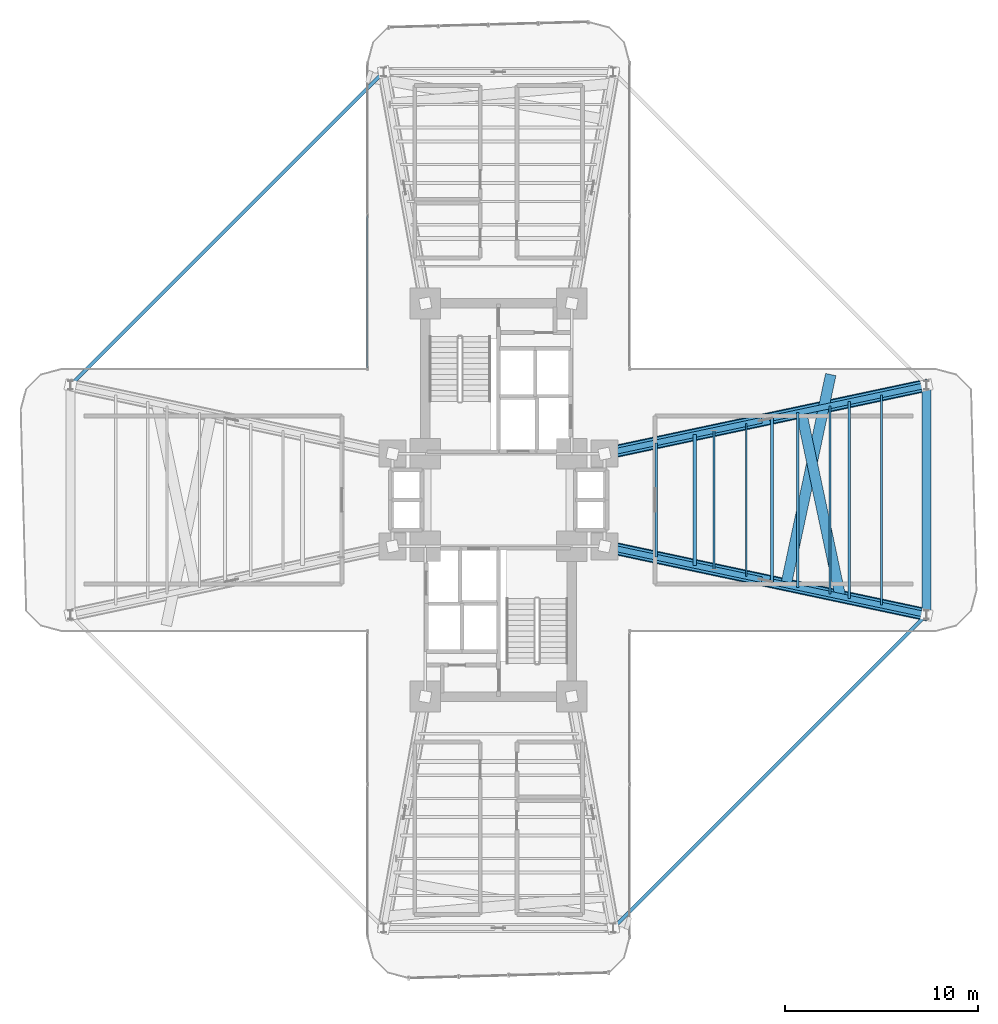
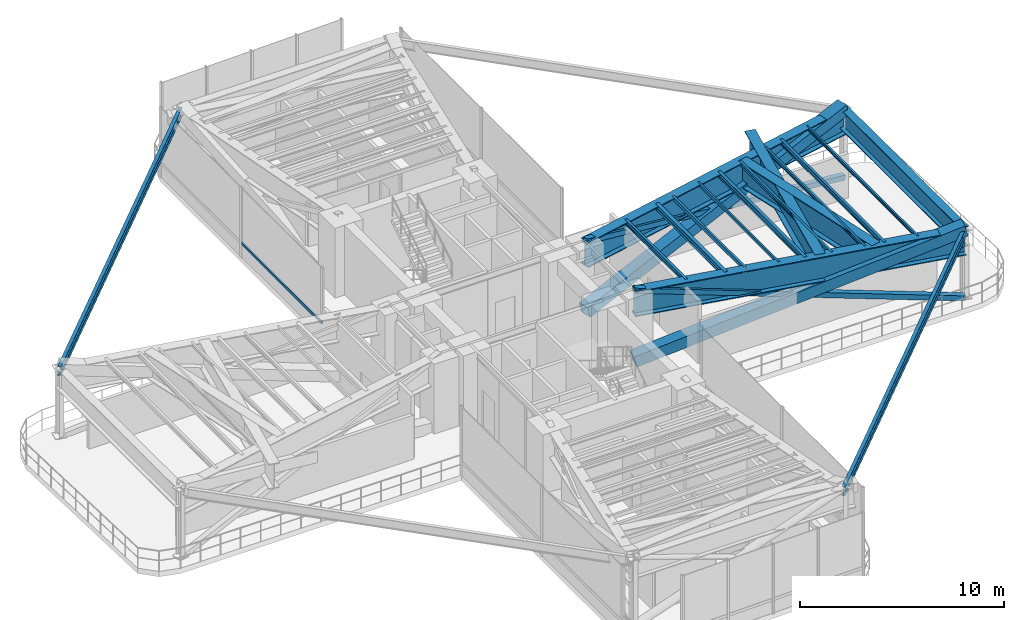
# One storey, part 7 of 18: 16 beams, 7 members, 1 element without a shape of its own.
"""IFC4 building model written with IfcOpenShell, lengths in metres."""

from ifc_helpers import new_model, si_unit, direction, frame, origin, origin_2d, place, context, subcontext, project, spatial, hollow_rectangle, i_section, extrude, source, transform, mapped, material, material_profile, profile_set, type_object, element, aggregate, save


model = new_model("IFC4")

# Units and contexts
model_context = context("Model", 3, precision=1e-05, world=origin(), true_north=direction((0.0, 1.0)))
body_context = subcontext(model_context, "Body", "Model", "MODEL_VIEW")
ifc_project = project(units=[si_unit("LENGTHUNIT", "METRE"), si_unit("AREAUNIT", "SQUARE_METRE"), si_unit("VOLUMEUNIT", "CUBIC_METRE"), si_unit("PLANEANGLEUNIT", "RADIAN"), si_unit("MASSUNIT", "GRAM", prefix="KILO")], contexts=[model_context])

# Site, building, storey
site_placement = place(None, origin())
site = spatial("IfcSite", under=ifc_project, at=site_placement, CompositionType="ELEMENT")
building_placement = place(site_placement, origin())
building = spatial("IfcBuilding", under=site, at=building_placement, Name="Sahyath Konkavel Grand Hotel", CompositionType="ELEMENT")
storey_placement = place(building_placement, frame((0.0, 0.0, 74.5)))
storey = spatial("IfcBuildingStorey", under=building, at=storey_placement, Name="L20", CompositionType="ELEMENT", Elevation=74.5)

# Beams
ifc_material_1 = material(Name="Steel E450", Category="steel")
ifc_material_profile_1 = material_profile(ifc_material_1, i_section(OverallWidth=0.550048828125, OverallDepth=1.5, WebThickness=0.028076171875, FlangeThickness=0.050048828125, at=origin_2d()), Name="BPG 1500x550")
ifc_profile_set_1 = profile_set([ifc_material_profile_1], Name="Steel E450")
beam_type_1 = type_object("IfcBeamType", Name="BM-BPG1500", PredefinedType="BEAM", material=ifc_profile_set_1)
shared_shape_1 = source(origin(), body_context, "Body", "SweptSolid", [
    extrude(i_section(OverallWidth=0.550048828125, OverallDepth=1.5, WebThickness=0.028076171875, FlangeThickness=0.050048828125, at=origin_2d()), origin(), (0.0, 0.0, 1.0), 17.072998046875),
])
for number, where, z_axis, x_axis, name in (
    (1, (5.5, -2.39990234375, 3.429931640625), (0.978143257225, -0.20793212437, 0.0), (0.20793212437, 0.978143257225, 0.0), "L20 Setback Transfer Girder EA"),
    (2, (5.5, 2.39990234375, 3.429931640625), (0.978143257225, 0.20793212437, 0.0), (-0.20793212437, 0.978143257225, 0.0), "L20 Setback Transfer Girder EB"),
):
    element("IfcBeam", number, at=place(storey_placement, frame(where, z_axis=z_axis, x_axis=x_axis)), inside=storey, type_object=beam_type_1, Name=name, PredefinedType="BEAM", context=body_context, shape_type="MappedRepresentation", body=[
        mapped(shared_shape_1, transform((0.0, 0.0, 0.0), scale=1.0)),
    ])

# Members
ifc_material_profile_2 = material_profile(ifc_material_1, hollow_rectangle(XDim=0.64990234375, YDim=0.64990234375, WallThickness=0.031982421875, at=origin_2d()), Name="BOX 650x650x32")
ifc_profile_set_2 = profile_set([ifc_material_profile_2], Name="Steel E450")
member_type_1 = type_object("IfcMemberType", Name="BR-BOX650", PredefinedType="BRACE", material=ifc_profile_set_2)
shared_shape_2 = source(origin(), body_context, "Body", "SweptSolid", [
    extrude(hollow_rectangle(XDim=0.64990234375, YDim=0.64990234375, WallThickness=0.031982421875, at=origin_2d()), origin(), (0.0, 0.0, 1.0), 17.572509765625),
])
for number, where, z_axis, x_axis, name in (
    (3, (5.5, -2.39990234375, 0.010009765625), (0.95034065569, -0.20202189194, 0.236727255125), (0.20793212437, 0.978143257225, 0.0), "L20 Core Outrigger Truss EA Continuous Diagonal 1"),
    (4, (5.5, 2.39990234375, 0.010009765625), (0.95034065569, 0.20202189194, 0.236727255125), (-0.20793212437, 0.978143257225, 0.0), "L20 Core Outrigger Truss EB Continuous Diagonal 1"),
):
    element("IfcMember", number, at=place(storey_placement, frame(where, z_axis=z_axis, x_axis=x_axis)), inside=storey, type_object=member_type_1, Name=name, PredefinedType="BRACE", context=body_context, shape_type="MappedRepresentation", body=[
        mapped(shared_shape_2, transform((0.0, 0.0, 0.0), scale=1.0)),
    ])

# Beams
ifc_material_2 = material(Name="Steel E350", Category="steel")
ifc_material_profile_3 = material_profile(ifc_material_2, i_section(OverallWidth=0.199951171875, OverallDepth=0.35009765625, WebThickness=0.008056640625, FlangeThickness=0.011474609375, FilletRadius=0.013916015625, at=origin_2d()), Name="ISWB 350")
ifc_profile_set_3 = profile_set([ifc_material_profile_3], Name="Steel E350")
beam_type_2 = type_object("IfcBeamType", Name="BM-ISWB350", PredefinedType="BEAM", material=ifc_profile_set_3)
shared_shape_3 = source(origin(), body_context, "Body", "SweptSolid", [
    extrude(i_section(OverallWidth=0.199951171875, OverallDepth=0.35009765625, WebThickness=0.008056640625, FlangeThickness=0.011474609375, FilletRadius=0.013916015625, at=origin_2d()), origin(), (0.0, 0.0, 1.0), 6.7880859375),
])
beam_1_placement = place(storey_placement, frame((10.176025390625, -3.39404296875, 4.0048828125), z_axis=(0.0, 1.0, 0.0), x_axis=(-1.0, 0.0, 0.0)))
element("IfcBeam", 5, at=beam_1_placement, inside=storey, type_object=beam_type_2, Name="L20 Secondary Floor Beam E-1", PredefinedType="BEAM", context=body_context, shape_type="MappedRepresentation", body=[
    mapped(shared_shape_3, transform((0.0, 0.0, 0.0), scale=1.0)),
])
ifc_material_profile_4 = material_profile(ifc_material_2, i_section(OverallWidth=0.1650390625, OverallDepth=0.324951171875, WebThickness=0.007080078125, FlangeThickness=0.009765625, FilletRadius=0.014892578125, at=origin_2d()), Name="ISLB 325")
ifc_profile_set_4 = profile_set([ifc_material_profile_4], Name="Steel E350")
beam_type_3 = type_object("IfcBeamType", Name="BM-ISLB325", PredefinedType="BEAM", material=ifc_profile_set_4)
shared_shape_4 = source(origin(), body_context, "Body", "SweptSolid", [
    extrude(i_section(OverallWidth=0.1650390625, OverallDepth=0.324951171875, WebThickness=0.007080078125, FlangeThickness=0.009765625, FilletRadius=0.014892578125, at=origin_2d()), origin(), (0.0, 0.0, 1.0), 8.4921875),
])
beam_2_placement = place(storey_placement, frame((14.18408203125, -4.24609375, 4.017578125), z_axis=(0.0, 1.0, 0.0), x_axis=(-1.0, 0.0, 0.0)))
element("IfcBeam", 6, at=beam_2_placement, inside=storey, type_object=beam_type_3, Name="L20 Secondary Floor Beam E-2", PredefinedType="BEAM", context=body_context, shape_type="MappedRepresentation", body=[
    mapped(shared_shape_4, transform((0.0, 0.0, 0.0), scale=1.0)),
])
ifc_material_profile_5 = material_profile(ifc_material_2, i_section(OverallWidth=0.139892578125, OverallDepth=0.300048828125, WebThickness=0.0078125, FlangeThickness=0.01318359375, FilletRadius=0.013916015625, at=origin_2d()), Name="ISMB 300")
ifc_profile_set_5 = profile_set([ifc_material_profile_5], Name="Steel E350")
beam_type_4 = type_object("IfcBeamType", Name="BM-ISMB300", PredefinedType="BEAM", material=ifc_profile_set_5)
shared_shape_5 = source(origin(), body_context, "Body", "SweptSolid", [
    extrude(i_section(OverallWidth=0.139892578125, OverallDepth=0.300048828125, WebThickness=0.0078125, FlangeThickness=0.01318359375, FilletRadius=0.013916015625, at=origin_2d()), origin(), (0.0, 0.0, 1.0), 10.19580078125),
])
beam_3_placement = place(storey_placement, frame((18.19189453125, -5.097900390625, 4.030029296875), z_axis=(0.0, 1.0, 0.0), x_axis=(-1.0, 0.0, 0.0)))
element("IfcBeam", 7, at=beam_3_placement, inside=storey, type_object=beam_type_4, Name="L20 Secondary Floor Beam E-3", PredefinedType="BEAM", context=body_context, shape_type="MappedRepresentation", body=[
    mapped(shared_shape_5, transform((0.0, 0.0, 0.0), scale=1.0)),
])
shared_shape_6 = source(origin(), body_context, "Body", "SweptSolid", [
    extrude(i_section(OverallWidth=0.550048828125, OverallDepth=1.5, WebThickness=0.028076171875, FlangeThickness=0.050048828125, at=origin_2d()), origin(), (0.0, 0.0, 1.0), 9.781005859375),
])
beam_4_placement = place(storey_placement, frame((17.730224609375, -4.999755859375, 3.429931640625), z_axis=(-0.207148800876, 0.978309447105, 0.0), x_axis=(-0.978309447105, -0.207148800876, 0.0)))
element("IfcBeam", 8, at=beam_4_placement, inside=storey, type_object=beam_type_1, Name="L20 Setback Cross Transfer Girder E-1", PredefinedType="BEAM", context=body_context, shape_type="MappedRepresentation", body=[
    mapped(shared_shape_6, transform((0.0, 0.0, 0.0), scale=1.0)),
])
shared_shape_7 = source(origin(), body_context, "Body", "SweptSolid", [
    extrude(i_section(OverallWidth=0.550048828125, OverallDepth=1.5, WebThickness=0.028076171875, FlangeThickness=0.050048828125, at=origin_2d()), origin(), (0.0, 0.0, 1.0), 11.152587890625),
])
beam_5_placement = place(storey_placement, frame((14.91357421875, -4.401123046875, 3.429931640625), z_axis=(0.207918710467, 0.978146108635, 0.0), x_axis=(-0.978146108635, 0.207918710467, 0.0)))
element("IfcBeam", 9, at=beam_5_placement, inside=storey, type_object=beam_type_1, Name="L20 Setback Cross Transfer Girder E-2", PredefinedType="BEAM", context=body_context, shape_type="MappedRepresentation", body=[
    mapped(shared_shape_7, transform((0.0, 0.0, 0.0), scale=1.0)),
])
ifc_material_profile_6 = material_profile(ifc_material_1, i_section(OverallWidth=0.449951171875, OverallDepth=1.199951171875, WebThickness=0.02197265625, FlangeThickness=0.0400390625, at=origin_2d()), Name="BPG 1200x450")
ifc_profile_set_6 = profile_set([ifc_material_profile_6], Name="Steel E450")
beam_type_5 = type_object("IfcBeamType", Name="BM-BPG1200", PredefinedType="BEAM", material=ifc_profile_set_6)
shared_shape_8 = source(origin(), body_context, "Body", "SweptSolid", [
    extrude(i_section(OverallWidth=0.449951171875, OverallDepth=1.199951171875, WebThickness=0.02197265625, FlangeThickness=0.0400390625, at=origin_2d()), origin(), (0.0, 0.0, 1.0), 11.89990234375),
])
beam_6_placement = place(storey_placement, frame((22.199951171875, -5.949951171875, 3.580078125), z_axis=(0.0, 1.0, 0.0), x_axis=(-1.0, 0.0, 0.0)))
element("IfcBeam", 10, at=beam_6_placement, inside=storey, type_object=beam_type_5, Name="L20 Wing Tip Edge Beam E", PredefinedType="BEAM", context=body_context, shape_type="MappedRepresentation", body=[
    mapped(shared_shape_8, transform((0.0, 0.0, 0.0), scale=1.0)),
])
ifc_material_profile_7 = material_profile(ifc_material_2, i_section(OverallWidth=0.18994140625, OverallDepth=0.550048828125, WebThickness=0.01123046875, FlangeThickness=0.019287109375, FilletRadius=0.01806640625, at=origin_2d()), Name="ISMB 550")
ifc_profile_set_7 = profile_set([ifc_material_profile_7], Name="Steel E350")
beam_type_6 = type_object("IfcBeamType", Name="BM-ISMB550", PredefinedType="BEAM", material=ifc_profile_set_7)
shared_shape_9 = source(origin(), body_context, "Body", "SweptSolid", [
    extrude(i_section(OverallWidth=0.18994140625, OverallDepth=0.550048828125, WebThickness=0.01123046875, FlangeThickness=0.019287109375, FilletRadius=0.01806640625, at=origin_2d()), origin(), (0.0, 0.0, 1.0), 22.98095703125),
])
for number, where, z_axis, x_axis, name in (
    (11, (-5.949951171875, 22.199951171875, 3.905029296875), (-0.707106781187, -0.707106781187, 0.0), (0.707106781187, -0.707106781187, 0.0), "L20 Re-Entrant Tie Beam NW"),
    (12, (22.199951171875, -5.949951171875, 3.905029296875), (-0.707106781187, -0.707106781187, 0.0), (0.707106781187, -0.707106781187, 0.0), "L20 Re-Entrant Tie Beam SE"),
):
    element("IfcBeam", number, at=place(storey_placement, frame(where, z_axis=z_axis, x_axis=x_axis)), inside=storey, type_object=beam_type_6, Name=name, PredefinedType="BEAM", context=body_context, shape_type="MappedRepresentation", body=[
        mapped(shared_shape_9, transform((0.0, 0.0, 0.0), scale=1.0)),
    ])

# Members
ifc_material_profile_8 = material_profile(ifc_material_1, hollow_rectangle(XDim=0.300048828125, YDim=0.300048828125, WallThickness=0.01611328125, at=origin_2d()), Name="SHS 300x300x16")
ifc_profile_set_8 = profile_set([ifc_material_profile_8], Name="Steel E450")
member_type_2 = type_object("IfcMemberType", Name="BR-SHS300", PredefinedType="BRACE", material=ifc_profile_set_8)
shared_shape_10 = source(origin(), body_context, "Body", "SweptSolid", [
    extrude(hollow_rectangle(XDim=0.300048828125, YDim=0.300048828125, WallThickness=0.01611328125, at=origin_2d()), origin(), (0.0, 0.0, 1.0), 8.546142578125),
])
for number, where, z_axis, x_axis, name in (
    (13, (22.199951171875, -5.949951171875, 0.010009765625), (-0.950337999796, 0.202025741262, 0.236734632047), (-0.207936470993, -0.978142333217, 0.0), "L20 Core Outrigger Truss EA Split Lower Diagonal 2A"),
    (14, (13.621826171875, -4.12646484375, 2.146728515625), (-0.950337999796, 0.202025741262, 0.236734632047), (-0.207936470993, -0.978142333217, 0.0), "L20 Core Outrigger Truss EA Split Upper Diagonal 2B"),
    (15, (22.199951171875, 5.949951171875, 0.010009765625), (-0.950337999796, -0.202025741262, 0.236734632047), (0.207936470993, -0.978142333217, 0.0), "L20 Core Outrigger Truss EB Split Lower Diagonal 2A"),
    (16, (13.621826171875, 4.12646484375, 2.146728515625), (-0.950337999796, -0.202025741262, 0.236734632047), (0.207936470993, -0.978142333217, 0.0), "L20 Core Outrigger Truss EB Split Upper Diagonal 2B"),
):
    element("IfcMember", number, at=place(storey_placement, frame(where, z_axis=z_axis, x_axis=x_axis)), inside=storey, type_object=member_type_2, Name=name, PredefinedType="BRACE", context=body_context, shape_type="MappedRepresentation", body=[
        mapped(shared_shape_10, transform((0.0, 0.0, 0.0), scale=1.0)),
    ])

# Beams
ifc_material_profile_9 = material_profile(ifc_material_2, i_section(OverallWidth=0.139892578125, OverallDepth=0.27490234375, WebThickness=0.00634765625, FlangeThickness=0.0087890625, FilletRadius=0.012939453125, at=origin_2d()), Name="ISLB 275")
ifc_profile_set_9 = profile_set([ifc_material_profile_9], Name="Steel E350")
beam_type_7 = type_object("IfcBeamType", Name="BM-ISLB275", PredefinedType="BEAM", material=ifc_profile_set_9)
shared_shape_11 = source(origin(), body_context, "Body", "SweptSolid", [
    extrude(i_section(OverallWidth=0.139892578125, OverallDepth=0.27490234375, WebThickness=0.00634765625, FlangeThickness=0.0087890625, FilletRadius=0.012939453125, at=origin_2d()), origin(), (0.0, 0.0, 1.0), 5.93603515625),
])
beam_7_placement = place(storey_placement, frame((8.172119140625, -2.968017578125, 4.04248046875), z_axis=(0.0, 1.0, 0.0), x_axis=(-1.0, 0.0, 0.0)))
element("IfcBeam", 17, at=beam_7_placement, inside=storey, type_object=beam_type_7, Name="L20 Composite Deck Sub-Beam E-1", PredefinedType="BEAM", context=body_context, shape_type="MappedRepresentation", body=[
    mapped(shared_shape_11, transform((0.0, 0.0, 0.0), scale=1.0)),
])
ifc_material_profile_10 = material_profile(ifc_material_2, hollow_rectangle(XDim=0.1201171875, YDim=0.219970703125, WallThickness=0.010009765625, at=origin_2d()), Name="RHS 220x120x10")
ifc_profile_set_10 = profile_set([ifc_material_profile_10], Name="Steel E350")
beam_type_8 = type_object("IfcBeamType", Name="BM-RHS220", PredefinedType="BEAM", material=ifc_profile_set_10)
shared_shape_12 = source(origin(), body_context, "Body", "SweptSolid", [
    extrude(hollow_rectangle(XDim=0.1201171875, YDim=0.219970703125, WallThickness=0.010009765625, at=origin_2d()), origin(), (0.0, 0.0, 1.0), 7.2138671875),
])
beam_8_placement = place(storey_placement, frame((11.177978515625, -3.60693359375, 4.070068359375), z_axis=(0.0, 1.0, 0.0), x_axis=(-1.0, 0.0, 0.0)))
element("IfcBeam", 18, at=beam_8_placement, inside=storey, type_object=beam_type_8, Name="L20 Composite Deck Sub-Beam E-2", PredefinedType="BEAM", context=body_context, shape_type="MappedRepresentation", body=[
    mapped(shared_shape_12, transform((0.0, 0.0, 0.0), scale=1.0)),
])
ifc_material_profile_11 = material_profile(ifc_material_2, hollow_rectangle(XDim=0.090087890625, YDim=0.179931640625, WallThickness=0.008056640625, at=origin_2d()), Name="RHS 180x90x8")
ifc_profile_set_11 = profile_set([ifc_material_profile_11], Name="Steel E350")
beam_type_9 = type_object("IfcBeamType", Name="BM-RHS180", PredefinedType="BEAM", material=ifc_profile_set_11)
shared_shape_13 = source(origin(), body_context, "Body", "SweptSolid", [
    extrude(hollow_rectangle(XDim=0.090087890625, YDim=0.179931640625, WallThickness=0.008056640625, at=origin_2d()), origin(), (0.0, 0.0, 1.0), 7.923828125),
])
beam_9_placement = place(storey_placement, frame((12.847900390625, -3.9619140625, 4.090087890625), z_axis=(0.0, 1.0, 0.0), x_axis=(-1.0, 0.0, 0.0)))
element("IfcBeam", 19, at=beam_9_placement, inside=storey, type_object=beam_type_9, Name="L20 Composite Deck Sub-Beam E-3", PredefinedType="BEAM", context=body_context, shape_type="MappedRepresentation", body=[
    mapped(shared_shape_13, transform((0.0, 0.0, 0.0), scale=1.0)),
])
ifc_material_profile_12 = material_profile(ifc_material_2, i_section(OverallWidth=0.125, OverallDepth=0.25, WebThickness=0.0068359375, FlangeThickness=0.012451171875, FilletRadius=0.012939453125, at=origin_2d()), Name="ISMB 250")
ifc_profile_set_12 = profile_set([ifc_material_profile_12], Name="Steel E350")
beam_type_10 = type_object("IfcBeamType", Name="BM-ISMB250", PredefinedType="BEAM", material=ifc_profile_set_12)
shared_shape_14 = source(origin(), body_context, "Body", "SweptSolid", [
    extrude(i_section(OverallWidth=0.125, OverallDepth=0.25, WebThickness=0.0068359375, FlangeThickness=0.012451171875, FilletRadius=0.012939453125, at=origin_2d()), origin(), (0.0, 0.0, 1.0), 9.06005859375),
])
beam_10_placement = place(storey_placement, frame((15.52001953125, -4.530029296875, 4.054931640625), z_axis=(0.0, 1.0, 0.0), x_axis=(-1.0, 0.0, 0.0)))
element("IfcBeam", 20, at=beam_10_placement, inside=storey, type_object=beam_type_10, Name="L20 Composite Deck Sub-Beam E-4", PredefinedType="BEAM", context=body_context, shape_type="MappedRepresentation", body=[
    mapped(shared_shape_14, transform((0.0, 0.0, 0.0), scale=1.0)),
])
ifc_material_profile_13 = material_profile(ifc_material_2, i_section(OverallWidth=0.110107421875, OverallDepth=0.22509765625, WebThickness=0.006591796875, FlangeThickness=0.01171875, FilletRadius=0.011962890625, at=origin_2d()), Name="ISMB 225")
ifc_profile_set_13 = profile_set([ifc_material_profile_13], Name="Steel E350")
beam_type_11 = type_object("IfcBeamType", Name="BM-ISMB225", PredefinedType="BEAM", material=ifc_profile_set_13)
shared_shape_15 = source(origin(), body_context, "Body", "SweptSolid", [
    extrude(i_section(OverallWidth=0.110107421875, OverallDepth=0.22509765625, WebThickness=0.006591796875, FlangeThickness=0.01171875, FilletRadius=0.011962890625, at=origin_2d()), origin(), (0.0, 0.0, 1.0), 9.77001953125),
])
beam_11_placement = place(storey_placement, frame((17.18994140625, -4.885009765625, 4.0673828125), z_axis=(0.0, 1.0, 0.0), x_axis=(-1.0, 0.0, 0.0)))
element("IfcBeam", 21, at=beam_11_placement, inside=storey, type_object=beam_type_11, Name="L20 Composite Deck Sub-Beam E-5", PredefinedType="BEAM", context=body_context, shape_type="MappedRepresentation", body=[
    mapped(shared_shape_15, transform((0.0, 0.0, 0.0), scale=1.0)),
])
ifc_material_profile_14 = material_profile(ifc_material_2, i_section(OverallWidth=0.10009765625, OverallDepth=0.199951171875, WebThickness=0.005615234375, FlangeThickness=0.0107421875, FilletRadius=0.010986328125, at=origin_2d()), Name="ISMB 200")
ifc_profile_set_14 = profile_set([ifc_material_profile_14], Name="Steel E350")
beam_type_12 = type_object("IfcBeamType", Name="BM-ISMB200", PredefinedType="BEAM", material=ifc_profile_set_14)
shared_shape_16 = source(origin(), body_context, "Body", "SweptSolid", [
    extrude(i_section(OverallWidth=0.10009765625, OverallDepth=0.199951171875, WebThickness=0.005615234375, FlangeThickness=0.0107421875, FilletRadius=0.010986328125, at=origin_2d()), origin(), (0.0, 0.0, 1.0), 10.90576171875),
])
beam_12_placement = place(storey_placement, frame((19.862060546875, -5.452880859375, 4.080078125), z_axis=(0.0, 1.0, 0.0), x_axis=(-1.0, 0.0, 0.0)))
element("IfcBeam", 22, at=beam_12_placement, inside=storey, type_object=beam_type_12, Name="L20 Composite Deck Sub-Beam E-6", PredefinedType="BEAM", context=body_context, shape_type="MappedRepresentation", body=[
    mapped(shared_shape_16, transform((0.0, 0.0, 0.0), scale=1.0)),
])

# Curtain wall, member
ifc_material_3 = material(Name="Anodised Bronze Aluminium & Low-E Glazing", Category="aluminium")
curtain_wall_type = type_object("IfcCurtainWallType", Name="CW-SKYLOBBY", PredefinedType="NOTDEFINED", material=ifc_material_3)
curtain_wall_placement = place(storey_placement, origin())
curtain_wall = element("IfcCurtainWall", 23, at=curtain_wall_placement, inside=storey, type_object=curtain_wall_type, Name="L20 Unitised Curtain Wall RF15", PredefinedType="NOTDEFINED")
ifc_material_4 = material(Name="Anodised Bronze Aluminium", Category="aluminium")
ifc_material_profile_15 = material_profile(ifc_material_4, hollow_rectangle(XDim=0.080078125, YDim=0.159912109375, WallThickness=0.006103515625, at=origin_2d()), Name="RHS 160x80x6")
ifc_profile_set_15 = profile_set([ifc_material_profile_15], Name="Anodised Bronze Aluminium")
member_type_3 = type_object("IfcMemberType", Name="CW-TRN-160", PredefinedType="USERDEFINED", material=ifc_profile_set_15)
shared_shape_17 = source(origin(), body_context, "Body", "SweptSolid", [
    extrude(hollow_rectangle(XDim=0.080078125, YDim=0.159912109375, WallThickness=0.006103515625, at=origin_2d()), origin(), (0.0, 0.0, 1.0), 7.909912109375),
])
member_placement = place(storey_placement, frame((-6.800048828125, 14.75, 0.85009765625), z_axis=(0.0, -1.0, 0.0), x_axis=(1.0, 0.0, 0.0)))
member = element("IfcMember", 24, at=member_placement, type_object=member_type_3, Name="L20 Curtain Wall Transom RF15-1-spandrel", ObjectType="TRANSOM", PredefinedType="USERDEFINED", context=body_context, shape_type="MappedRepresentation", body=[
    mapped(shared_shape_17, transform((0.0, 0.0, 0.0), scale=1.0)),
])
aggregate(curtain_wall, [member])

save(model, "model.ifc")
